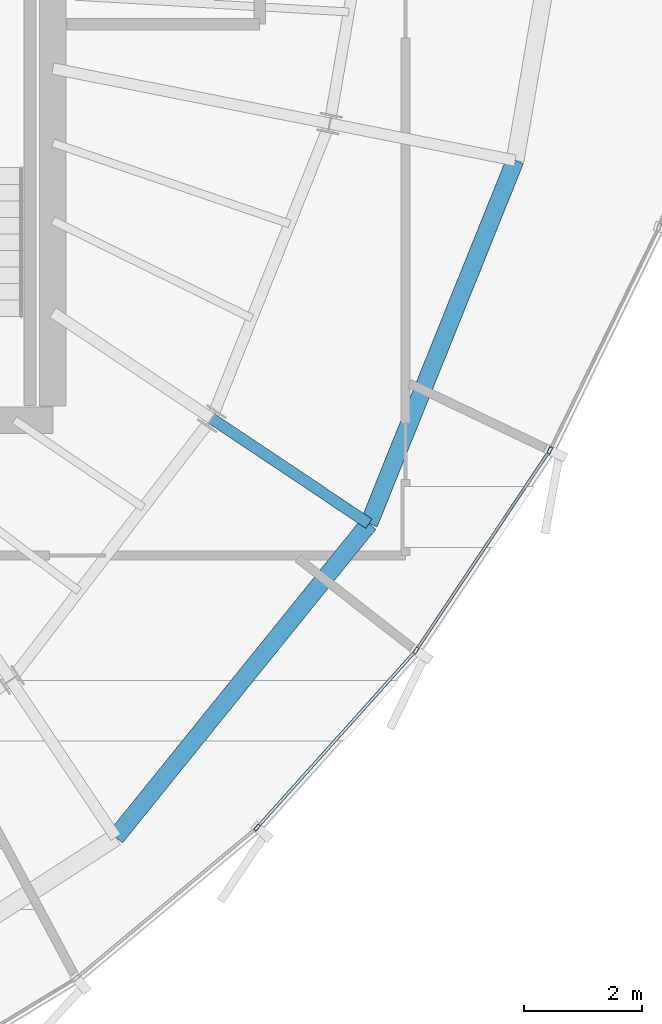
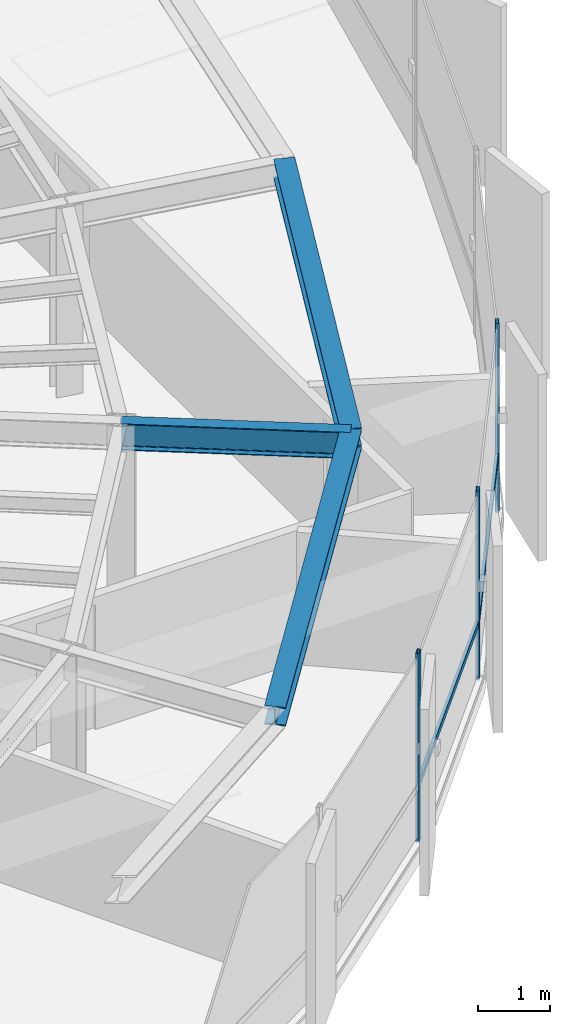
# One storey, part 13 of 35: 5 members, 3 beams, 1 element without a shape of its own.
"""IFC4 building model written with IfcOpenShell, lengths in metres."""

import ifcopenshell
import ifcopenshell.guid

model = None  # the IFC model being written
_history = None  # IfcOwnerHistory: only IFC2X3 demands one
_inside = {}  # id of a spatial element -> (the spatial element, [elements in it])
_under = {}  # id of a project, library or spatial element -> (it, [spatial elements below it])
_declared = {}  # id of a project -> (the project, [libraries it declares])
_typed = {}  # id of a type object -> (the type object, [elements of that type])
_made_of = {}  # id of a material, layer set ... -> (it, [elements and type objects made of it])


def new_model(schema):
    """Start an empty IFC model of exactly this schema.

    Asked for "IFC4X3", IfcOpenShell would pick the latest addendum, in which some entities
    have other attributes; the version numbers below select the first issue.
    IFC2X3 requires an IfcOwnerHistory on every rooted entity: one is made here for all.
    """
    global model, _history
    if schema == "IFC4X3":
        model = ifcopenshell.file(schema_version=(4, 3, 0, 0))
    else:
        model = ifcopenshell.file(schema=schema)
    _inside.clear()
    _under.clear()
    _declared.clear()
    _typed.clear()
    _made_of.clear()
    _history = None
    if model.schema == "IFC2X3":
        org = make("IfcOrganization", Name="unknown")
        user = make(
            "IfcPersonAndOrganization",
            ThePerson=make("IfcPerson", FamilyName="unknown"),
            TheOrganization=org,
        )
        app = make(
            "IfcApplication",
            ApplicationDeveloper=org,
            Version="unknown",
            ApplicationFullName="unknown",
            ApplicationIdentifier="unknown",
        )
        _history = make(
            "IfcOwnerHistory",
            OwningUser=user,
            OwningApplication=app,
            ChangeAction="ADDED",
            CreationDate=0,
        )
    return model


def make(cls, **values):
    """One entity of the class cls with the attributes given. An attribute that is None is left unset."""
    return model.create_entity(
        cls, **{name: value for name, value in values.items() if value is not None}
    )


def rooted(cls, **values):
    """An entity with a GlobalId (a new one), such as an element, a storey or a relation."""
    return make(cls, GlobalId=ifcopenshell.guid.new(), OwnerHistory=_history, **values)


def si_unit(unit_type, name, prefix=None):
    """IfcSIUnit, for example si_unit("LENGTHUNIT", "METRE", prefix="MILLI")."""
    return make("IfcSIUnit", UnitType=unit_type, Prefix=prefix, Name=name)


def assignment(units):
    """IfcUnitAssignment: the units of a project."""
    return None if units is None else make("IfcUnitAssignment", Units=units)


def point(xyz):
    """IfcCartesianPoint."""
    return None if xyz is None else make("IfcCartesianPoint", Coordinates=xyz)


def direction(xyz):
    """IfcDirection."""
    return None if xyz is None else make("IfcDirection", DirectionRatios=xyz)


def frame(location, z_axis=None, x_axis=None):
    """IfcAxis2Placement3D, a coordinate frame: its origin and axes. An axis left out is left unset."""
    return make(
        "IfcAxis2Placement3D",
        Location=point(location),
        Axis=direction(z_axis),
        RefDirection=direction(x_axis),
    )


def frame_2d(location, x_axis=None):
    """IfcAxis2Placement2D, a coordinate frame in the plane: its origin and x axis."""
    return make(
        "IfcAxis2Placement2D", Location=point(location), RefDirection=direction(x_axis)
    )


def origin():
    """The frame at (0, 0, 0) with its axes left unset."""
    return frame((0.0, 0.0, 0.0))


def origin_2d():
    """The frame at (0, 0) in the plane with its x axis left unset."""
    return frame_2d((0.0, 0.0))


def place(relative_to, where):
    """IfcLocalPlacement: puts the frame where relative to a parent placement (None: the world)."""
    return make(
        "IfcLocalPlacement", PlacementRelTo=relative_to, RelativePlacement=where
    )


def context(
    kind, dimensions, precision=None, world=None, true_north=None, identifier=None
):
    """IfcGeometricRepresentationContext, for example the 3D "Model" context."""
    return make(
        "IfcGeometricRepresentationContext",
        ContextIdentifier=identifier,
        ContextType=kind,
        CoordinateSpaceDimension=dimensions,
        Precision=precision,
        WorldCoordinateSystem=world,
        TrueNorth=true_north,
    )


def subcontext(parent, identifier, kind, view, scale=None):
    """IfcGeometricRepresentationSubContext, for example "Body" below "Model"."""
    return make(
        "IfcGeometricRepresentationSubContext",
        ContextIdentifier=identifier,
        ContextType=kind,
        ParentContext=parent,
        TargetScale=scale,
        TargetView=view,
    )


def project(units=None, contexts=None):
    """IfcProject with its units and contexts."""
    return rooted(
        "IfcProject",
        Name="project",
        RepresentationContexts=contexts,
        UnitsInContext=assignment(units),
    )


def spatial(cls, under=None, at=None, **own):
    """A site, building, storey or space (cls), placed at a placement, below another one or the project."""
    s = rooted(cls, ObjectPlacement=at, **own)
    if under is not None:
        _under.setdefault(under.id(), (under, []))[1].append(s)
    return s


def profile(cls, at=None, kind="AREA", **sizes):
    """A parametric profile (cls). Its sizes go by their IFC names, for example OverallWidth=200.0."""
    return make(cls, ProfileType=kind, Position=at, **sizes)


def hollow_rectangle(**sizes):
    """IfcRectangleHollowProfileDef."""
    return profile("IfcRectangleHollowProfileDef", **sizes)


def i_section(**sizes):
    """IfcIShapeProfileDef."""
    return profile("IfcIShapeProfileDef", **sizes)


def extrude(swept, where, along, depth):
    """IfcExtrudedAreaSolid: the profile swept, set in the frame where, extruded along a direction by depth."""
    return make(
        "IfcExtrudedAreaSolid",
        SweptArea=swept,
        Position=where,
        ExtrudedDirection=direction(along),
        Depth=depth,
    )


def shape(context_of_items, identifier, shape_type, items):
    """IfcShapeRepresentation: the items that make up one representation, for example the "Body"."""
    return make(
        "IfcShapeRepresentation",
        ContextOfItems=context_of_items,
        RepresentationIdentifier=identifier,
        RepresentationType=shape_type,
        Items=items,
    )


def source(mapping_origin, context_of_items, identifier, shape_type, items):
    """IfcRepresentationMap: a shape defined once, which mapped items show again and again."""
    return make(
        "IfcRepresentationMap",
        MappingOrigin=mapping_origin,
        MappedRepresentation=shape(context_of_items, identifier, shape_type, items),
    )


def transform(
    local_origin,
    x_axis=None,
    y_axis=None,
    z_axis=None,
    scale=None,
    scale2=None,
    scale3=None,
    uniform=True,
):
    """IfcCartesianTransformationOperator3D, or its non-uniform kind. x_axis, y_axis, z_axis: its Axis1, 2, 3."""
    if uniform:
        return make(
            "IfcCartesianTransformationOperator3D",
            Axis1=direction(x_axis),
            Axis2=direction(y_axis),
            LocalOrigin=point(local_origin),
            Scale=scale,
            Axis3=direction(z_axis),
        )
    return make(
        "IfcCartesianTransformationOperator3DnonUniform",
        Axis1=direction(x_axis),
        Axis2=direction(y_axis),
        LocalOrigin=point(local_origin),
        Scale=scale,
        Axis3=direction(z_axis),
        Scale2=scale2,
        Scale3=scale3,
    )


def mapped(mapping_source, mapping_target):
    """IfcMappedItem: shows the shape of a source again, moved by a transform."""
    return make(
        "IfcMappedItem", MappingSource=mapping_source, MappingTarget=mapping_target
    )


def material(Name=None, Category=None):
    """IfcMaterial."""
    return make("IfcMaterial", Name=Name, Category=Category)


def layer(
    of_material, thickness, ventilated=None, Name=None, Category=None, Priority=None
):
    """IfcMaterialLayer: one layer of a wall or slab, of a material (None: an air gap)."""
    return make(
        "IfcMaterialLayer",
        Material=of_material,
        LayerThickness=thickness,
        IsVentilated=ventilated,
        Name=Name,
        Category=Category,
        Priority=Priority,
    )


def layer_set(layers, Name=None):
    """IfcMaterialLayerSet."""
    return make("IfcMaterialLayerSet", MaterialLayers=layers, LayerSetName=Name)


def material_profile(
    of_material, cross_section, Name=None, Category=None, Priority=None
):
    """IfcMaterialProfile: a cross section and its material."""
    return make(
        "IfcMaterialProfile",
        Name=Name,
        Material=of_material,
        Profile=cross_section,
        Priority=Priority,
        Category=Category,
    )


def profile_set(profiles, Name=None, composite=None):
    """IfcMaterialProfileSet."""
    return make(
        "IfcMaterialProfileSet",
        Name=Name,
        MaterialProfiles=profiles,
        CompositeProfile=composite,
    )


def made_of(thing, what):
    """Note that an element or type object is made of a material, layer set ...; save() writes the relation."""
    if what is not None:
        _made_of.setdefault(what.id(), (what, []))[1].append(thing)
    return thing


def type_object(cls, material=None, **own):
    """A type object (cls), such as IfcWallType, which elements share."""
    return made_of(rooted(cls, **own), material)


def element(
    cls,
    number,
    at=None,
    inside=None,
    cuts=None,
    type_object=None,
    material=None,
    context=None,
    identifier="Body",
    shape_type=None,
    held_by="IfcProductDefinitionShape",
    body=None,
    shapes=None,
    **own,
):
    """One element of the class cls, such as IfcWall. Its Tag is "e" and its number.

    at: its placement. inside: the storey or other place that contains it. cuts: it is an
    opening in that element (IfcRelVoidsElement). A single representation is given by context,
    identifier, shape_type and body (its items); several are given by shapes. held_by: the class
    of the entity that holds the representations. save() writes the other relations.
    """
    e = rooted(cls, Tag="e%d" % number, ObjectPlacement=at, **own)
    if body is not None:
        shapes = [shape(context, identifier, shape_type, body)]
    if shapes is not None:
        e.Representation = make(held_by, Representations=shapes)
    if inside is not None:
        _inside.setdefault(inside.id(), (inside, []))[1].append(e)
    if cuts is not None:
        rooted(
            "IfcRelVoidsElement", RelatingBuildingElement=cuts, RelatedOpeningElement=e
        )
    if type_object is not None:
        _typed.setdefault(type_object.id(), (type_object, []))[1].append(e)
    return made_of(e, material)


def aggregate(whole, parts):
    """IfcRelAggregates: a whole, such as a stair, and the parts it consists of."""
    return rooted("IfcRelAggregates", RelatingObject=whole, RelatedObjects=parts)


def save(model, path):
    """Write the relations noted so far, then the file.

    IfcRelAggregates (storeys below a building ...), IfcRelContainedInSpatialStructure (elements
    in a storey), IfcRelDefinesByType, IfcRelAssociatesMaterial and IfcRelDeclares: one each for
    every whole, place, type object, material and project.
    """
    for whole, parts in _under.values():
        aggregate(whole, parts)
    for where, things in _inside.values():
        rooted(
            "IfcRelContainedInSpatialStructure",
            RelatedElements=things,
            RelatingStructure=where,
        )
    for kind, things in _typed.values():
        rooted("IfcRelDefinesByType", RelatedObjects=things, RelatingType=kind)
    for what, things in _made_of.values():
        rooted("IfcRelAssociatesMaterial", RelatedObjects=things, RelatingMaterial=what)
    for by, libraries in _declared.values():
        rooted("IfcRelDeclares", RelatingContext=by, RelatedDefinitions=libraries)
    model.write(path)


model = new_model("IFC4")

# Units and contexts
model_context = context("Model", 3, precision=1e-05, world=origin(), true_north=direction((0.0, 1.0)))
body_context = subcontext(model_context, "Body", "Model", "MODEL_VIEW")
ifc_project = project(units=[si_unit("LENGTHUNIT", "METRE"), si_unit("AREAUNIT", "SQUARE_METRE"), si_unit("VOLUMEUNIT", "CUBIC_METRE"), si_unit("PLANEANGLEUNIT", "RADIAN"), si_unit("MASSUNIT", "GRAM", prefix="KILO"), si_unit("THERMODYNAMICTEMPERATUREUNIT", "KELVIN")], contexts=[model_context])

# Site, building, storey
site_placement = place(None, origin())
site = spatial("IfcSite", under=ifc_project, at=site_placement, CompositionType="ELEMENT")
building_placement = place(site_placement, origin())
building = spatial("IfcBuilding", under=site, at=building_placement, Name="Kethvar Cultural Tower", CompositionType="ELEMENT")
storey_placement = place(building_placement, frame((0.0, 0.0, 245.64990234375)))
storey = spatial("IfcBuildingStorey", under=building, at=storey_placement, Name="L64", CompositionType="ELEMENT", Elevation=245.64990234375)

# Beams
ifc_material_1 = material(Name="Steel S355J2", Category="steel")
ifc_material_profile_1 = material_profile(ifc_material_1, i_section(OverallWidth=0.18994140625, OverallDepth=0.449951171875, WebThickness=0.009521484375, FlangeThickness=0.0146484375, FilletRadius=0.02099609375, at=origin_2d()), Name="Steel S355J2 — IPE450")
ifc_profile_set_1 = profile_set([ifc_material_profile_1], Name="Steel S355J2 — IPE450")
beam_type_1 = type_object("IfcBeamType", Name="BM-IPE450", PredefinedType="BEAM", material=ifc_profile_set_1)
shared_shape_1 = source(origin(), body_context, "Body", "SweptSolid", [
    extrude(i_section(OverallWidth=0.18994140625, OverallDepth=0.449951171875, WebThickness=0.009521484375, FlangeThickness=0.0146484375, FilletRadius=0.02099609375, at=origin_2d()), origin(), (0.0, 0.0, 1.0), 3.199951171875),
])
beam_1_placement = place(storey_placement, frame((58.287109375, 20.12451171875, 2.983154296875), z_axis=(0.831462943996, -0.555580212716, 0.0), x_axis=(0.555580212716, 0.831462943996, 0.0)))
element("IfcBeam", 1, at=beam_1_placement, inside=storey, type_object=beam_type_1, Name="L64 Perimeter Cantilever Beam RC-15", PredefinedType="BEAM", context=body_context, shape_type="MappedRepresentation", body=[
    mapped(shared_shape_1, transform((0.0, 0.0, 0.0), scale=1.0)),
])
ifc_material_profile_2 = material_profile(ifc_material_1, i_section(OverallWidth=0.300048828125, OverallDepth=0.320068359375, WebThickness=0.011474609375, FlangeThickness=0.0205078125, FilletRadius=0.027099609375, at=origin_2d()), Name="Steel S355J2 — HEB320")
ifc_profile_set_2 = profile_set([ifc_material_profile_2], Name="Steel S355J2 — HEB320")
beam_type_2 = type_object("IfcBeamType", Name="BM-SP320", PredefinedType="SPANDREL", material=ifc_profile_set_2)
shared_shape_2 = source(origin(), body_context, "Body", "SweptSolid", [
    extrude(i_section(OverallWidth=0.300048828125, OverallDepth=0.320068359375, WebThickness=0.011474609375, FlangeThickness=0.0205078125, FilletRadius=0.027099609375, at=origin_2d()), origin(), (0.0, 0.0, 1.0), 6.8212890625),
])
beam_2_placement = place(storey_placement, frame((56.66259765625, 13.039306640625, 3.048095703125), z_axis=(0.628197971595, 0.778053538315, 0.0), x_axis=(-0.778053538315, 0.628197971595, 0.0)))
element("IfcBeam", 2, at=beam_2_placement, inside=storey, type_object=beam_type_2, Name="L64 Perimeter Spandrel Beam SP-14", PredefinedType="SPANDREL", context=body_context, shape_type="MappedRepresentation", body=[
    mapped(shared_shape_2, transform((0.0, 0.0, 0.0), scale=1.0)),
])
shared_shape_3 = source(origin(), body_context, "Body", "SweptSolid", [
    extrude(i_section(OverallWidth=0.300048828125, OverallDepth=0.320068359375, WebThickness=0.011474609375, FlangeThickness=0.0205078125, FilletRadius=0.027099609375, at=origin_2d()), origin(), (0.0, 0.0, 1.0), 6.626220703125),
])
beam_3_placement = place(storey_placement, frame((60.94775390625, 18.3466796875, 3.048095703125), z_axis=(0.373416224197, 0.927663906545, 0.0), x_axis=(-0.927663906545, 0.373416224197, 0.0)))
element("IfcBeam", 3, at=beam_3_placement, inside=storey, type_object=beam_type_2, Name="L64 Perimeter Spandrel Beam SP-15", PredefinedType="SPANDREL", context=body_context, shape_type="MappedRepresentation", body=[
    mapped(shared_shape_3, transform((0.0, 0.0, 0.0), scale=1.0)),
])

# Curtain wall, members
ifc_material_2 = material(Name="Aluminium 6063-T6", Category="aluminium")
ifc_layer = layer(ifc_material_2, 0.179931640625, Name="Aluminium 6063-T6", Category="aluminium")
ifc_layer_set = layer_set([ifc_layer], Name="Aluminium 6063-T6 (180 mm)")
curtain_wall_type = type_object("IfcCurtainWallType", Name="CW-SYS-05-Z56", PredefinedType="NOTDEFINED", material=ifc_layer_set)
curtain_wall_placement = place(storey_placement, origin())
curtain_wall = element("IfcCurtainWall", 4, at=curtain_wall_placement, inside=storey, type_object=curtain_wall_type, Name="L64 Curtain Wall Run 05", PredefinedType="NOTDEFINED")
ifc_material_profile_3 = material_profile(ifc_material_2, hollow_rectangle(XDim=0.054931640625, YDim=0.1201171875, WallThickness=0.00390625, at=origin_2d()), Name="Aluminium 6063-T6 — RHS120x55x4")
ifc_profile_set_3 = profile_set([ifc_material_profile_3], Name="Aluminium 6063-T6 — RHS120x55x4")
member_type_1 = type_object("IfcMemberType", Name="CW-SYS-05-Z56-MUL", PredefinedType="MULLION", material=ifc_profile_set_3)
shared_shape_4 = source(origin(), body_context, "Body", "SweptSolid", [
    extrude(hollow_rectangle(XDim=0.054931640625, YDim=0.1201171875, WallThickness=0.00390625, at=origin_2d()), origin(), (0.0, 0.0, 1.0), 3.210205078125),
])
member_1_placement = place(storey_placement, frame((59.0556640625, 13.2041015625, 0.0), z_axis=(0.0, 0.0, 1.0), x_axis=(-0.74427657758, 0.667871526617, 0.0)))
member_1 = element("IfcMember", 5, at=member_1_placement, type_object=member_type_1, Name="CW-L64-R05 Mullion 3", PredefinedType="MULLION", context=body_context, shape_type="MappedRepresentation", body=[
    mapped(shared_shape_4, transform((0.0, 0.0, 0.0), scale=1.0)),
])
member_2_placement = place(storey_placement, frame((61.744384765625, 16.19921875, 0.0), z_axis=(0.0, 0.0, 1.0), x_axis=(-0.831489004856, 0.555541208916, 0.0)))
member_2 = element("IfcMember", 6, at=member_2_placement, type_object=member_type_1, Name="CW-L64-R05 Mullion 4", PredefinedType="MULLION", context=body_context, shape_type="MappedRepresentation", body=[
    mapped(shared_shape_4, transform((0.0, 0.0, 0.0), scale=1.0)),
])
member_3_placement = place(storey_placement, frame((64.00927734375, 19.58740234375, 0.0), z_axis=(0.0, 0.0, 1.0), x_axis=(-0.898319156939, 0.439343478699, 0.0)))
member_3 = element("IfcMember", 7, at=member_3_placement, type_object=member_type_1, Name="CW-L64-R05 Mullion 5", PredefinedType="MULLION", context=body_context, shape_type="MappedRepresentation", body=[
    mapped(shared_shape_4, transform((0.0, 0.0, 0.0), scale=1.0)),
])
ifc_material_profile_4 = material_profile(ifc_material_2, hollow_rectangle(XDim=0.050048828125, YDim=0.10009765625, WallThickness=0.00390625, at=origin_2d()), Name="Aluminium 6063-T6 — RHS100x50x4")
ifc_profile_set_4 = profile_set([ifc_material_profile_4], Name="Aluminium 6063-T6 — RHS100x50x4")
member_type_2 = type_object("IfcMemberType", Name="CW-SYS-05-Z56-TRN", PredefinedType="USERDEFINED", material=ifc_profile_set_4)
shared_shape_5 = source(origin(), body_context, "Body", "SweptSolid", [
    extrude(hollow_rectangle(XDim=0.050048828125, YDim=0.10009765625, WallThickness=0.00390625, at=origin_2d()), origin(), (0.0, 0.0, 1.0), 4.009765625),
])
member_4_placement = place(storey_placement, frame((61.766357421875, 16.23193359375, 0.9501953125), z_axis=(0.555514852649, 0.831506613616, 0.0), x_axis=(-0.831506613616, 0.555514852649, 0.0)))
member_4 = element("IfcMember", 8, at=member_4_placement, type_object=member_type_2, Name="CW-L64-R05 Transom 4", ObjectType="TRANSOM", PredefinedType="USERDEFINED", context=body_context, shape_type="MappedRepresentation", body=[
    mapped(shared_shape_5, transform((0.0, 0.0, 0.0), scale=1.0)),
])
shared_shape_6 = source(origin(), body_context, "Body", "SweptSolid", [
    extrude(hollow_rectangle(XDim=0.050048828125, YDim=0.10009765625, WallThickness=0.00390625, at=origin_2d()), origin(), (0.0, 0.0, 1.0), 3.959716796875),
])
member_5_placement = place(storey_placement, frame((59.08203125, 13.233642578125, 0.9501953125), z_axis=(0.667846692341, 0.744298861701, 0.0), x_axis=(-0.744298861701, 0.667846692341, 0.0)))
member_5 = element("IfcMember", 9, at=member_5_placement, type_object=member_type_2, Name="CW-L64-R05 Transom 3", ObjectType="TRANSOM", PredefinedType="USERDEFINED", context=body_context, shape_type="MappedRepresentation", body=[
    mapped(shared_shape_6, transform((0.0, 0.0, 0.0), scale=1.0)),
])
aggregate(curtain_wall, [member_1, member_2, member_3, member_5, member_4])

save(model, "model.ifc")
